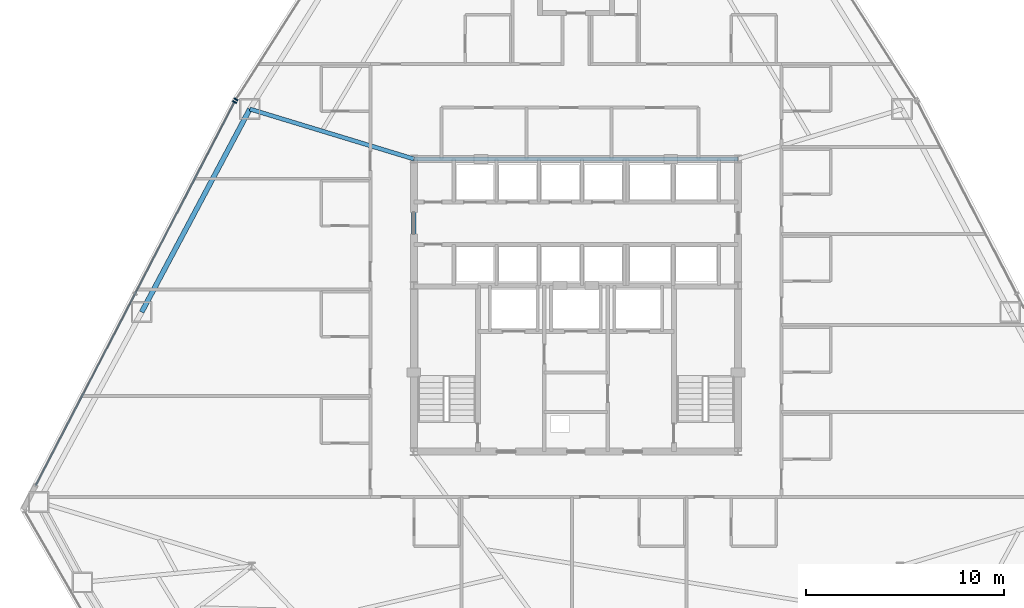
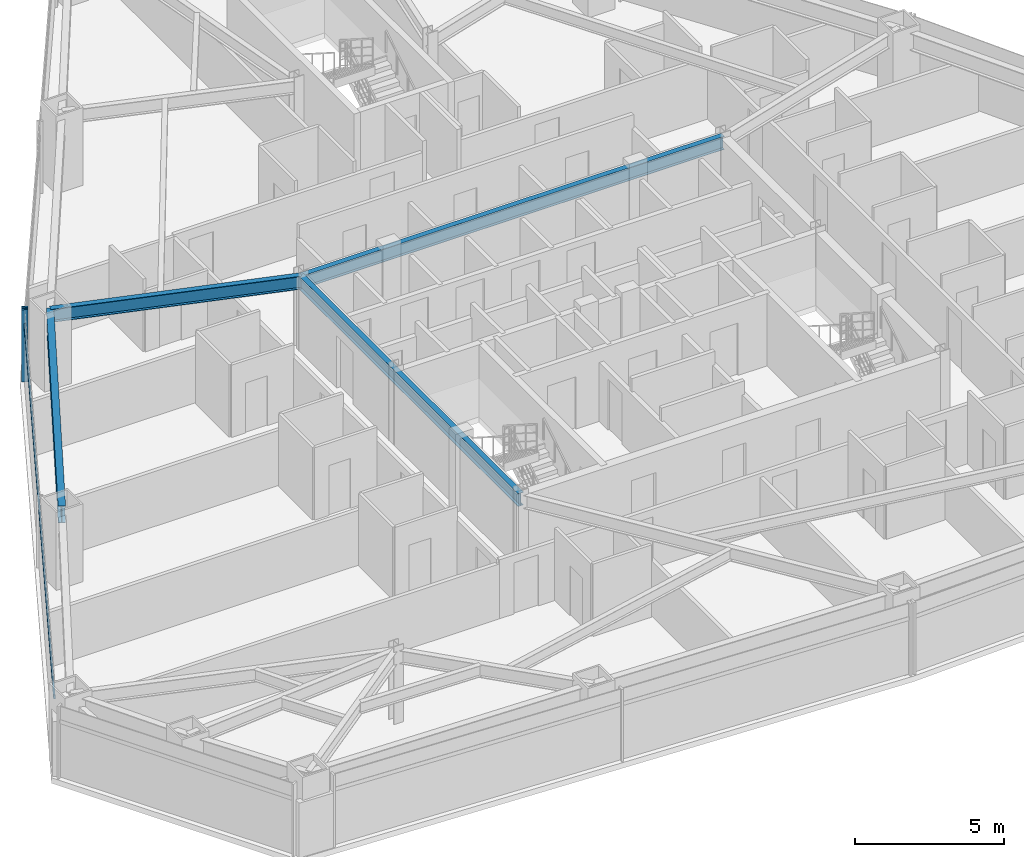
# One storey, part 5 of 13: 4 beams, 3 members, 2 elements without a shape of their own.
"""IFC4 building model written with IfcOpenShell, lengths in metres."""

import ifcopenshell
import ifcopenshell.guid

model = None  # the IFC model being written
_history = None  # IfcOwnerHistory: only IFC2X3 demands one
_inside = {}  # id of a spatial element -> (the spatial element, [elements in it])
_under = {}  # id of a project, library or spatial element -> (it, [spatial elements below it])
_declared = {}  # id of a project -> (the project, [libraries it declares])
_typed = {}  # id of a type object -> (the type object, [elements of that type])
_made_of = {}  # id of a material, layer set ... -> (it, [elements and type objects made of it])


def new_model(schema):
    """Start an empty IFC model of exactly this schema.

    Asked for "IFC4X3", IfcOpenShell would pick the latest addendum, in which some entities
    have other attributes; the version numbers below select the first issue.
    IFC2X3 requires an IfcOwnerHistory on every rooted entity: one is made here for all.
    """
    global model, _history
    if schema == "IFC4X3":
        model = ifcopenshell.file(schema_version=(4, 3, 0, 0))
    else:
        model = ifcopenshell.file(schema=schema)
    _inside.clear()
    _under.clear()
    _declared.clear()
    _typed.clear()
    _made_of.clear()
    _history = None
    if model.schema == "IFC2X3":
        org = make("IfcOrganization", Name="unknown")
        user = make(
            "IfcPersonAndOrganization",
            ThePerson=make("IfcPerson", FamilyName="unknown"),
            TheOrganization=org,
        )
        app = make(
            "IfcApplication",
            ApplicationDeveloper=org,
            Version="unknown",
            ApplicationFullName="unknown",
            ApplicationIdentifier="unknown",
        )
        _history = make(
            "IfcOwnerHistory",
            OwningUser=user,
            OwningApplication=app,
            ChangeAction="ADDED",
            CreationDate=0,
        )
    return model


def make(cls, **values):
    """One entity of the class cls with the attributes given. An attribute that is None is left unset."""
    return model.create_entity(
        cls, **{name: value for name, value in values.items() if value is not None}
    )


def rooted(cls, **values):
    """An entity with a GlobalId (a new one), such as an element, a storey or a relation."""
    return make(cls, GlobalId=ifcopenshell.guid.new(), OwnerHistory=_history, **values)


def si_unit(unit_type, name, prefix=None):
    """IfcSIUnit, for example si_unit("LENGTHUNIT", "METRE", prefix="MILLI")."""
    return make("IfcSIUnit", UnitType=unit_type, Prefix=prefix, Name=name)


def assignment(units):
    """IfcUnitAssignment: the units of a project."""
    return None if units is None else make("IfcUnitAssignment", Units=units)


def point(xyz):
    """IfcCartesianPoint."""
    return None if xyz is None else make("IfcCartesianPoint", Coordinates=xyz)


def direction(xyz):
    """IfcDirection."""
    return None if xyz is None else make("IfcDirection", DirectionRatios=xyz)


def frame(location, z_axis=None, x_axis=None):
    """IfcAxis2Placement3D, a coordinate frame: its origin and axes. An axis left out is left unset."""
    return make(
        "IfcAxis2Placement3D",
        Location=point(location),
        Axis=direction(z_axis),
        RefDirection=direction(x_axis),
    )


def frame_2d(location, x_axis=None):
    """IfcAxis2Placement2D, a coordinate frame in the plane: its origin and x axis."""
    return make(
        "IfcAxis2Placement2D", Location=point(location), RefDirection=direction(x_axis)
    )


def origin():
    """The frame at (0, 0, 0) with its axes left unset."""
    return frame((0.0, 0.0, 0.0))


def origin_2d():
    """The frame at (0, 0) in the plane with its x axis left unset."""
    return frame_2d((0.0, 0.0))


def place(relative_to, where):
    """IfcLocalPlacement: puts the frame where relative to a parent placement (None: the world)."""
    return make(
        "IfcLocalPlacement", PlacementRelTo=relative_to, RelativePlacement=where
    )


def context(
    kind, dimensions, precision=None, world=None, true_north=None, identifier=None
):
    """IfcGeometricRepresentationContext, for example the 3D "Model" context."""
    return make(
        "IfcGeometricRepresentationContext",
        ContextIdentifier=identifier,
        ContextType=kind,
        CoordinateSpaceDimension=dimensions,
        Precision=precision,
        WorldCoordinateSystem=world,
        TrueNorth=true_north,
    )


def subcontext(parent, identifier, kind, view, scale=None):
    """IfcGeometricRepresentationSubContext, for example "Body" below "Model"."""
    return make(
        "IfcGeometricRepresentationSubContext",
        ContextIdentifier=identifier,
        ContextType=kind,
        ParentContext=parent,
        TargetScale=scale,
        TargetView=view,
    )


def project(units=None, contexts=None):
    """IfcProject with its units and contexts."""
    return rooted(
        "IfcProject",
        Name="project",
        RepresentationContexts=contexts,
        UnitsInContext=assignment(units),
    )


def spatial(cls, under=None, at=None, **own):
    """A site, building, storey or space (cls), placed at a placement, below another one or the project."""
    s = rooted(cls, ObjectPlacement=at, **own)
    if under is not None:
        _under.setdefault(under.id(), (under, []))[1].append(s)
    return s


def profile(cls, at=None, kind="AREA", **sizes):
    """A parametric profile (cls). Its sizes go by their IFC names, for example OverallWidth=200.0."""
    return make(cls, ProfileType=kind, Position=at, **sizes)


def rectangle(**sizes):
    """IfcRectangleProfileDef."""
    return profile("IfcRectangleProfileDef", **sizes)


def i_section(**sizes):
    """IfcIShapeProfileDef."""
    return profile("IfcIShapeProfileDef", **sizes)


def extrude(swept, where, along, depth):
    """IfcExtrudedAreaSolid: the profile swept, set in the frame where, extruded along a direction by depth."""
    return make(
        "IfcExtrudedAreaSolid",
        SweptArea=swept,
        Position=where,
        ExtrudedDirection=direction(along),
        Depth=depth,
    )


def shape(context_of_items, identifier, shape_type, items):
    """IfcShapeRepresentation: the items that make up one representation, for example the "Body"."""
    return make(
        "IfcShapeRepresentation",
        ContextOfItems=context_of_items,
        RepresentationIdentifier=identifier,
        RepresentationType=shape_type,
        Items=items,
    )


def source(mapping_origin, context_of_items, identifier, shape_type, items):
    """IfcRepresentationMap: a shape defined once, which mapped items show again and again."""
    return make(
        "IfcRepresentationMap",
        MappingOrigin=mapping_origin,
        MappedRepresentation=shape(context_of_items, identifier, shape_type, items),
    )


def transform(
    local_origin,
    x_axis=None,
    y_axis=None,
    z_axis=None,
    scale=None,
    scale2=None,
    scale3=None,
    uniform=True,
):
    """IfcCartesianTransformationOperator3D, or its non-uniform kind. x_axis, y_axis, z_axis: its Axis1, 2, 3."""
    if uniform:
        return make(
            "IfcCartesianTransformationOperator3D",
            Axis1=direction(x_axis),
            Axis2=direction(y_axis),
            LocalOrigin=point(local_origin),
            Scale=scale,
            Axis3=direction(z_axis),
        )
    return make(
        "IfcCartesianTransformationOperator3DnonUniform",
        Axis1=direction(x_axis),
        Axis2=direction(y_axis),
        LocalOrigin=point(local_origin),
        Scale=scale,
        Axis3=direction(z_axis),
        Scale2=scale2,
        Scale3=scale3,
    )


def mapped(mapping_source, mapping_target):
    """IfcMappedItem: shows the shape of a source again, moved by a transform."""
    return make(
        "IfcMappedItem", MappingSource=mapping_source, MappingTarget=mapping_target
    )


def material(Name=None, Category=None):
    """IfcMaterial."""
    return make("IfcMaterial", Name=Name, Category=Category)


def layer(
    of_material, thickness, ventilated=None, Name=None, Category=None, Priority=None
):
    """IfcMaterialLayer: one layer of a wall or slab, of a material (None: an air gap)."""
    return make(
        "IfcMaterialLayer",
        Material=of_material,
        LayerThickness=thickness,
        IsVentilated=ventilated,
        Name=Name,
        Category=Category,
        Priority=Priority,
    )


def layer_set(layers, Name=None):
    """IfcMaterialLayerSet."""
    return make("IfcMaterialLayerSet", MaterialLayers=layers, LayerSetName=Name)


def material_profile(
    of_material, cross_section, Name=None, Category=None, Priority=None
):
    """IfcMaterialProfile: a cross section and its material."""
    return make(
        "IfcMaterialProfile",
        Name=Name,
        Material=of_material,
        Profile=cross_section,
        Priority=Priority,
        Category=Category,
    )


def profile_set(profiles, Name=None, composite=None):
    """IfcMaterialProfileSet."""
    return make(
        "IfcMaterialProfileSet",
        Name=Name,
        MaterialProfiles=profiles,
        CompositeProfile=composite,
    )


def made_of(thing, what):
    """Note that an element or type object is made of a material, layer set ...; save() writes the relation."""
    if what is not None:
        _made_of.setdefault(what.id(), (what, []))[1].append(thing)
    return thing


def type_object(cls, material=None, **own):
    """A type object (cls), such as IfcWallType, which elements share."""
    return made_of(rooted(cls, **own), material)


def type_shapes(of_type, sources):
    """Give a type object the sources (RepresentationMaps) that its elements show as mapped items."""
    of_type.RepresentationMaps = sources


def element(
    cls,
    number,
    at=None,
    inside=None,
    cuts=None,
    type_object=None,
    material=None,
    context=None,
    identifier="Body",
    shape_type=None,
    held_by="IfcProductDefinitionShape",
    body=None,
    shapes=None,
    **own,
):
    """One element of the class cls, such as IfcWall. Its Tag is "e" and its number.

    at: its placement. inside: the storey or other place that contains it. cuts: it is an
    opening in that element (IfcRelVoidsElement). A single representation is given by context,
    identifier, shape_type and body (its items); several are given by shapes. held_by: the class
    of the entity that holds the representations. save() writes the other relations.
    """
    e = rooted(cls, Tag="e%d" % number, ObjectPlacement=at, **own)
    if body is not None:
        shapes = [shape(context, identifier, shape_type, body)]
    if shapes is not None:
        e.Representation = make(held_by, Representations=shapes)
    if inside is not None:
        _inside.setdefault(inside.id(), (inside, []))[1].append(e)
    if cuts is not None:
        rooted(
            "IfcRelVoidsElement", RelatingBuildingElement=cuts, RelatedOpeningElement=e
        )
    if type_object is not None:
        _typed.setdefault(type_object.id(), (type_object, []))[1].append(e)
    return made_of(e, material)


def aggregate(whole, parts):
    """IfcRelAggregates: a whole, such as a stair, and the parts it consists of."""
    return rooted("IfcRelAggregates", RelatingObject=whole, RelatedObjects=parts)


def save(model, path):
    """Write the relations noted so far, then the file.

    IfcRelAggregates (storeys below a building ...), IfcRelContainedInSpatialStructure (elements
    in a storey), IfcRelDefinesByType, IfcRelAssociatesMaterial and IfcRelDeclares: one each for
    every whole, place, type object, material and project.
    """
    for whole, parts in _under.values():
        aggregate(whole, parts)
    for where, things in _inside.values():
        rooted(
            "IfcRelContainedInSpatialStructure",
            RelatedElements=things,
            RelatingStructure=where,
        )
    for kind, things in _typed.values():
        rooted("IfcRelDefinesByType", RelatedObjects=things, RelatingType=kind)
    for what, things in _made_of.values():
        rooted("IfcRelAssociatesMaterial", RelatedObjects=things, RelatingMaterial=what)
    for by, libraries in _declared.values():
        rooted("IfcRelDeclares", RelatingContext=by, RelatedDefinitions=libraries)
    model.write(path)


model = new_model("IFC4")

# Units and contexts
model_context = context("Model", 3, precision=1e-05, world=origin(), true_north=direction((0.0, 1.0)))
body_context = subcontext(model_context, "Body", "Model", "MODEL_VIEW")
ifc_project = project(units=[si_unit("LENGTHUNIT", "METRE"), si_unit("AREAUNIT", "SQUARE_METRE"), si_unit("VOLUMEUNIT", "CUBIC_METRE"), si_unit("PLANEANGLEUNIT", "RADIAN"), si_unit("MASSUNIT", "GRAM", prefix="KILO")], contexts=[model_context])

# Site, building, storey
site_placement = place(None, origin())
site = spatial("IfcSite", under=ifc_project, at=site_placement, CompositionType="ELEMENT")
building_placement = place(site_placement, origin())
building = spatial("IfcBuilding", under=site, at=building_placement, Name="Varakhsha Concourse Tower", CompositionType="ELEMENT")
storey_placement = place(building_placement, frame((0.0, 0.0, 83.0)))
storey = spatial("IfcBuildingStorey", under=building, at=storey_placement, Name="L23", CompositionType="ELEMENT", Elevation=83.0)

# Beams
ifc_material_1 = material(Name="Structural Steel ASTM A992 Grade 50", Category="steel")
ifc_material_profile_1 = material_profile(ifc_material_1, i_section(OverallWidth=0.2109375, OverallDepth=0.5390625, WebThickness=0.011962890625, FlangeThickness=0.01904296875, at=origin_2d()), Name="W21X73")
ifc_profile_set_1 = profile_set([ifc_material_profile_1], Name="Structural Steel ASTM A992 Grade 50")
beam_type_1 = type_object("IfcBeamType", Name="BM-RAD-W21X73", PredefinedType="BEAM", material=ifc_profile_set_1)
beam_1_placement = place(storey_placement, frame((31.800048828125, 31.199951171875, 2.700439453125), z_axis=(1.0, 0.0, 0.0), x_axis=(0.0, 1.0, 0.0)))
element("IfcBeam", 1, at=beam_1_placement, inside=storey, type_object=beam_type_1, Name="BM-TCORE-L23-CN", PredefinedType="BEAM", context=body_context, shape_type="SweptSolid", body=[
    extrude(i_section(OverallWidth=0.2109375, OverallDepth=0.5390625, WebThickness=0.011962890625, FlangeThickness=0.01904296875, at=origin_2d()), origin(), (0.0, 0.0, 1.0), 16.39990234375),
])
beam_2_placement = place(storey_placement, frame((31.800048828125, 16.39990234375, 2.700439453125), z_axis=(0.0, 1.0, 0.0), x_axis=(-1.0, 0.0, 0.0)))
element("IfcBeam", 2, at=beam_2_placement, inside=storey, type_object=beam_type_1, Name="BM-TCORE-L23-CW", PredefinedType="BEAM", context=body_context, shape_type="SweptSolid", body=[
    extrude(i_section(OverallWidth=0.2109375, OverallDepth=0.5390625, WebThickness=0.011962890625, FlangeThickness=0.01904296875, at=origin_2d()), origin(), (0.0, 0.0, 1.0), 14.800048828125),
])
beam_3_placement = place(storey_placement, frame((31.800048828125, 31.199951171875, 2.700439453125), z_axis=(-0.956697744709, 0.291083193036, 0.0), x_axis=(-0.291083193036, -0.956697744709, 0.0)))
element("IfcBeam", 3, at=beam_3_placement, inside=storey, type_object=beam_type_1, Name="L23 Radial Floor Girder 05", PredefinedType="BEAM", context=body_context, shape_type="SweptSolid", body=[
    extrude(i_section(OverallWidth=0.2109375, OverallDepth=0.5390625, WebThickness=0.011962890625, FlangeThickness=0.01904296875, at=origin_2d()), origin(), (0.0, 0.0, 1.0), 8.671630859375),
])
ifc_material_profile_2 = material_profile(ifc_material_1, i_section(OverallWidth=0.25390625, OverallDepth=0.701904296875, WebThickness=0.014892578125, FlangeThickness=0.028076171875, at=origin_2d()), Name="W27X129")
ifc_profile_set_2 = profile_set([ifc_material_profile_2], Name="Structural Steel ASTM A992 Grade 50")
beam_type_2 = type_object("IfcBeamType", Name="BM-SPAN-W27X129", PredefinedType="SPANDREL", material=ifc_profile_set_2)
beam_4_placement = place(storey_placement, frame((23.50390625, 33.72412109375, 2.618896484375), z_axis=(-0.470161283072, -0.882580516384, 0.0), x_axis=(0.882580516384, -0.470161283072, 0.0)))
element("IfcBeam", 4, at=beam_4_placement, inside=storey, type_object=beam_type_2, Name="BM-SPAN-L23-05", PredefinedType="SPANDREL", context=body_context, shape_type="SweptSolid", body=[
    extrude(i_section(OverallWidth=0.25390625, OverallDepth=0.701904296875, WebThickness=0.014892578125, FlangeThickness=0.028076171875, at=origin_2d()), origin(), (0.0, 0.0, 1.0), 11.6357421875),
])

# Curtain wall, member
ifc_material_2 = material(Name="Anodised Bronze Architectural Aluminium AA 6063-T6", Category="aluminium")
ifc_layer = layer(ifc_material_2, 0.199951171875, Name="CW-SYS-03")
ifc_layer_set = layer_set([ifc_layer], Name="Anodised Bronze Architectural Aluminium AA 6063-T6")
curtain_wall_type = type_object("IfcCurtainWallType", Name="CW-SYS-03", PredefinedType="NOTDEFINED", material=ifc_layer_set)
curtain_wall_1_placement = place(storey_placement, origin())
curtain_wall_1 = element("IfcCurtainWall", 5, at=curtain_wall_1_placement, inside=storey, type_object=curtain_wall_type, Name="L23 Crystal Curtain Wall F2", PredefinedType="NOTDEFINED")
ifc_material_profile_3 = material_profile(ifc_material_2, rectangle(XDim=0.074951171875, YDim=0.219970703125, at=origin_2d()), Name="CWM-220X75")
ifc_profile_set_3 = profile_set([ifc_material_profile_3], Name="Anodised Bronze Architectural Aluminium AA 6063-T6")
member_type_1 = type_object("IfcMemberType", Name="CWM-220X75", PredefinedType="MULLION", material=ifc_profile_set_3)
shared_shape_1 = source(origin(), body_context, "Body", "SweptSolid", [
    extrude(rectangle(XDim=0.074951171875, YDim=0.219970703125, at=origin_2d()), origin(), (0.0, 0.0, 1.0), 2.969970703125),
])
type_shapes(member_type_1, [shared_shape_1])
member_1_placement = place(storey_placement, frame((22.805419921875, 34.211181640625, 0.0), z_axis=(0.0, 0.0, 1.0), x_axis=(0.538786958833, 0.842442053195, 0.0)))
member_1 = element("IfcMember", 6, at=member_1_placement, type_object=member_type_1, Name="CW-L23-F2 Mullion 00", PredefinedType="MULLION", context=body_context, shape_type="MappedRepresentation", body=[
    mapped(shared_shape_1, transform((0.0, 0.0, 0.0), scale=1.0)),
])
aggregate(curtain_wall_1, [member_1])

# Curtain wall, members
curtain_wall_2_placement = place(storey_placement, origin())
curtain_wall_2 = element("IfcCurtainWall", 7, at=curtain_wall_2_placement, inside=storey, type_object=curtain_wall_type, Name="L23 Crystal Curtain Wall F3", PredefinedType="NOTDEFINED")
member_2_placement = place(storey_placement, frame((22.732666015625, 34.08544921875, 0.0), z_axis=(0.0, 0.0, 1.0), x_axis=(0.460185838956, 0.887822613828, 0.0)))
member_2 = element("IfcMember", 8, at=member_2_placement, type_object=member_type_1, Name="CW-L23-F3 Mullion 02", PredefinedType="MULLION", context=body_context, shape_type="MappedRepresentation", body=[
    mapped(shared_shape_1, transform((0.0, 0.0, 0.0), scale=1.0)),
])
ifc_material_profile_4 = material_profile(ifc_material_2, rectangle(XDim=0.06494140625, YDim=0.159912109375, at=origin_2d()), Name="CWT-160X65")
ifc_profile_set_4 = profile_set([ifc_material_profile_4], Name="Anodised Bronze Architectural Aluminium AA 6063-T6")
member_type_2 = type_object("IfcMemberType", Name="CWT-160X65", PredefinedType="USERDEFINED", material=ifc_profile_set_4)
shared_shape_2 = source(origin(), body_context, "Body", "SweptSolid", [
    extrude(rectangle(XDim=0.06494140625, YDim=0.159912109375, at=origin_2d()), origin(), (0.0, 0.0, 1.0), 21.861572265625),
])
type_shapes(member_type_2, [shared_shape_2])
member_3_placement = place(storey_placement, frame((12.672119140625, 14.67626953125, 2.320068359375), z_axis=(0.460191986848, 0.887819427159, 0.0), x_axis=(-0.887819427159, 0.460191986848, 0.0)))
member_3 = element("IfcMember", 9, at=member_3_placement, type_object=member_type_2, Name="CW-L23-F3 Transom 01", ObjectType="TRANSOM", PredefinedType="USERDEFINED", context=body_context, shape_type="MappedRepresentation", body=[
    mapped(shared_shape_2, transform((0.0, 0.0, 0.0), scale=1.0)),
])
aggregate(curtain_wall_2, [member_2, member_3])

save(model, "model.ifc")
